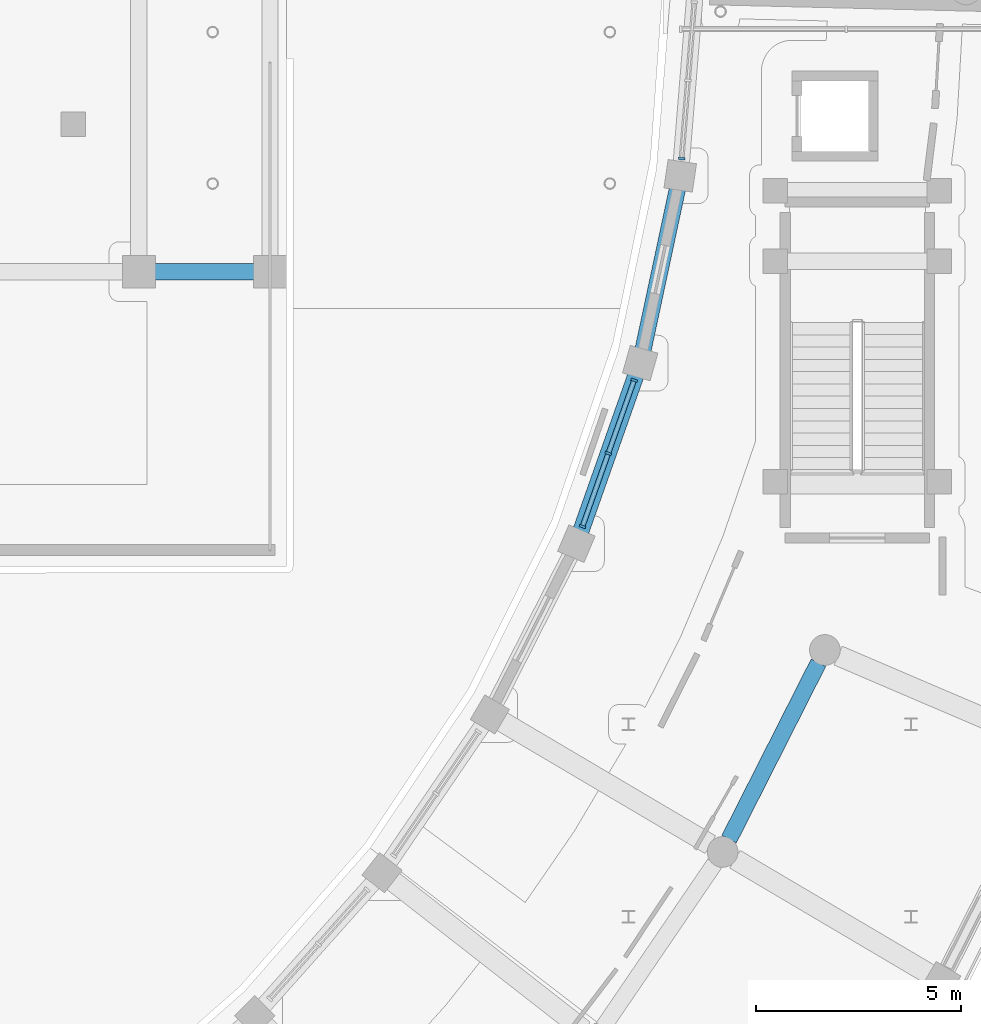
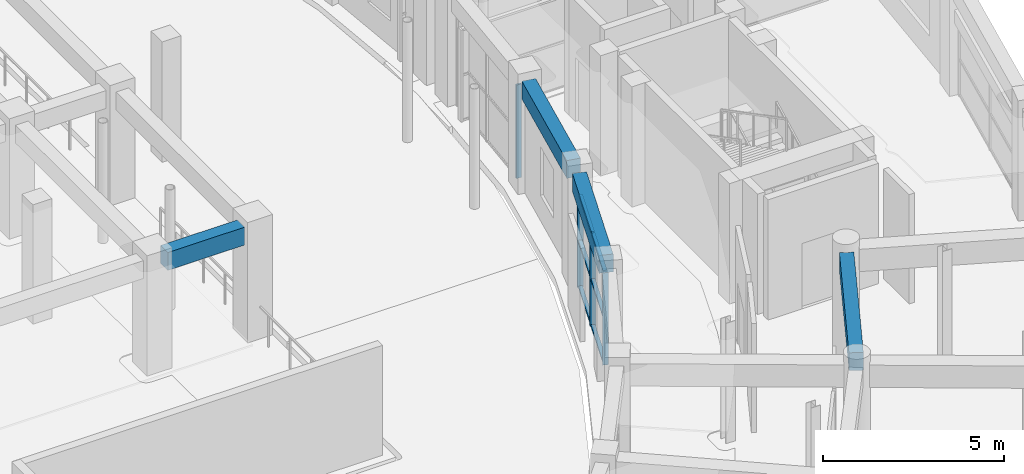
# One storey, part 34 of 87: 10 members, 4 beams, 2 elements without a shape of their own.
"""IFC4 building model written with IfcOpenShell, lengths in metres."""

from ifc_helpers import new_model, si_unit, direction, frame, origin, origin_2d, place, context, subcontext, project, spatial, rectangle, extrude, material, material_profile, profile_set, type_object, element, aggregate, save


model = new_model("IFC4")

# Units and contexts
model_context = context("Model", 3, precision=1e-05, world=origin(), true_north=direction((0.0, 1.0)))
body_context = subcontext(model_context, "Body", "Model", "MODEL_VIEW")
ifc_project = project(units=[si_unit("LENGTHUNIT", "METRE"), si_unit("AREAUNIT", "SQUARE_METRE"), si_unit("VOLUMEUNIT", "CUBIC_METRE"), si_unit("PLANEANGLEUNIT", "RADIAN"), si_unit("MASSUNIT", "GRAM", prefix="KILO")], contexts=[model_context])

# Site, building, storey
site_placement = place(None, origin())
site = spatial("IfcSite", under=ifc_project, at=site_placement, CompositionType="ELEMENT")
building_placement = place(site_placement, origin())
building = spatial("IfcBuilding", under=site, at=building_placement, Name="Saryqyr Civic Hall", CompositionType="ELEMENT")
storey_placement = place(building_placement, frame((0.0, 0.0, 5.10009765625)))
storey = spatial("IfcBuildingStorey", under=building, at=storey_placement, Name="L01", CompositionType="ELEMENT", Elevation=5.10009765625)

# Curtain wall, members
ifc_material_1 = material(Name="Anodised aluminium and triple low-E glass", Category="aluminium")
curtain_wall_type_1 = type_object("IfcCurtainWallType", Name="ENV-CW-STD-20", PredefinedType="NOTDEFINED", material=ifc_material_1)
curtain_wall_1_placement = place(storey_placement, origin())
curtain_wall_1 = element("IfcCurtainWall", 1, at=curtain_wall_1_placement, inside=storey, type_object=curtain_wall_type_1, Name="Curtain wall V5-CWI-L01-07", PredefinedType="NOTDEFINED")
ifc_material_2 = material(Name="Anodised aluminium", Category="aluminium")
ifc_material_profile_1 = material_profile(ifc_material_2, rectangle(XDim=0.06005859375, YDim=0.159912109375, at=origin_2d()), Name="ALU MULLION 60x160")
ifc_profile_set_1 = profile_set([ifc_material_profile_1], Name="Anodised aluminium")
member_type_1 = type_object("IfcMemberType", Name="ENV-CW-MUL-180", PredefinedType="MULLION", material=ifc_profile_set_1)
member_1_placement = place(storey_placement, frame((90.42919921875, 70.177978515625, 0.0), z_axis=(0.0, 0.0, 1.0), x_axis=(0.333203416298, 0.942854964121, 0.0)))
member_1 = element("IfcMember", 2, at=member_1_placement, type_object=member_type_1, Name="CW-20 mullion 1", PredefinedType="MULLION", context=body_context, shape_type="SweptSolid", body=[
    extrude(rectangle(XDim=0.06005859375, YDim=0.159912109375, at=origin_2d()), origin(), (0.0, 0.0, 1.0), 3.14501953125),
])
member_2_placement = place(storey_placement, frame((91.060302734375, 71.963623046875, 0.0), z_axis=(0.0, 0.0, 1.0), x_axis=(0.333203416298, 0.942854964121, 0.0)))
member_2 = element("IfcMember", 3, at=member_2_placement, type_object=member_type_1, Name="CW-20 mullion 2", PredefinedType="MULLION", context=body_context, shape_type="SweptSolid", body=[
    extrude(rectangle(XDim=0.06005859375, YDim=0.159912109375, at=origin_2d()), origin(), (0.0, 0.0, 1.0), 3.14501953125),
])
member_3_placement = place(storey_placement, frame((91.69140625, 73.74951171875, 0.0), z_axis=(0.0, 0.0, 1.0), x_axis=(0.333203416298, 0.942854964121, 0.0)))
member_3 = element("IfcMember", 4, at=member_3_placement, type_object=member_type_1, Name="CW-20 mullion 3", PredefinedType="MULLION", context=body_context, shape_type="SweptSolid", body=[
    extrude(rectangle(XDim=0.06005859375, YDim=0.159912109375, at=origin_2d()), origin(), (0.0, 0.0, 1.0), 3.14501953125),
])

# Curtain wall, member
curtain_wall_type_2 = type_object("IfcCurtainWallType", Name="ENV-CW-STD-17", PredefinedType="NOTDEFINED", material=ifc_material_1)
curtain_wall_2_placement = place(storey_placement, origin())
curtain_wall_2 = element("IfcCurtainWall", 5, at=curtain_wall_2_placement, inside=storey, type_object=curtain_wall_type_2, Name="Curtain wall V5-CWI-L01-09", PredefinedType="NOTDEFINED")
member_4_placement = place(storey_placement, frame((92.849853515625, 79.159912109375, 0.0), z_axis=(0.0, 0.0, 1.0), x_axis=(0.081125567196, 0.996703889, 0.0)))
member_4 = element("IfcMember", 6, at=member_4_placement, type_object=member_type_1, Name="CW-17 mullion 1", PredefinedType="MULLION", context=body_context, shape_type="SweptSolid", body=[
    extrude(rectangle(XDim=0.06005859375, YDim=0.159912109375, at=origin_2d()), origin(), (0.0, 0.0, 1.0), 3.14501953125),
])
aggregate(curtain_wall_2, [member_4])

# Member
ifc_material_profile_2 = material_profile(ifc_material_2, rectangle(XDim=0.1201171875, YDim=0.06005859375, at=origin_2d()), Name="ALU TRANSOM 120x60")
ifc_profile_set_2 = profile_set([ifc_material_profile_2], Name="Anodised aluminium")
member_type_2 = type_object("IfcMemberType", Name="ENV-CW-TRN-150", PredefinedType="USERDEFINED", material=ifc_profile_set_2)
member_5_placement = place(storey_placement, frame((90.439208984375, 70.2060546875, 0.02978515625), z_axis=(0.333189130519, 0.94286001257, 0.0), x_axis=(-0.94286001257, 0.333189130519, 0.0)))
member_5 = element("IfcMember", 7, at=member_5_placement, type_object=member_type_2, Name="CW-20 transom 1.1", ObjectType="TRANSOM", PredefinedType="USERDEFINED", context=body_context, shape_type="SweptSolid", body=[
    extrude(rectangle(XDim=0.1201171875, YDim=0.06005859375, at=origin_2d()), origin(), (0.0, 0.0, 1.0), 1.833984375),
])

member_6_placement = place(storey_placement, frame((90.439208984375, 70.2060546875, 1.572021484375), z_axis=(0.333189130519, 0.94286001257, 0.0), x_axis=(-0.94286001257, 0.333189130519, 0.0)))
member_6 = element("IfcMember", 8, at=member_6_placement, type_object=member_type_2, Name="CW-20 transom 1.2", ObjectType="TRANSOM", PredefinedType="USERDEFINED", context=body_context, shape_type="SweptSolid", body=[
    extrude(rectangle(XDim=0.1201171875, YDim=0.06005859375, at=origin_2d()), origin(), (0.0, 0.0, 1.0), 1.833984375),
])

member_7_placement = place(storey_placement, frame((90.439208984375, 70.2060546875, 3.114990234375), z_axis=(0.333189130519, 0.94286001257, 0.0), x_axis=(-0.94286001257, 0.333189130519, 0.0)))
member_7 = element("IfcMember", 9, at=member_7_placement, type_object=member_type_2, Name="CW-20 transom 1.3", ObjectType="TRANSOM", PredefinedType="USERDEFINED", context=body_context, shape_type="SweptSolid", body=[
    extrude(rectangle(XDim=0.1201171875, YDim=0.06005859375, at=origin_2d()), origin(), (0.0, 0.0, 1.0), 1.833984375),
])

member_8_placement = place(storey_placement, frame((91.0703125, 71.991943359375, 0.02978515625), z_axis=(0.333189130519, 0.94286001257, 0.0), x_axis=(-0.94286001257, 0.333189130519, 0.0)))
member_8 = element("IfcMember", 10, at=member_8_placement, type_object=member_type_2, Name="CW-20 transom 2.1", ObjectType="TRANSOM", PredefinedType="USERDEFINED", context=body_context, shape_type="SweptSolid", body=[
    extrude(rectangle(XDim=0.1201171875, YDim=0.06005859375, at=origin_2d()), origin(), (0.0, 0.0, 1.0), 1.833984375),
])

member_9_placement = place(storey_placement, frame((91.0703125, 71.991943359375, 1.572021484375), z_axis=(0.333189130519, 0.94286001257, 0.0), x_axis=(-0.94286001257, 0.333189130519, 0.0)))
member_9 = element("IfcMember", 11, at=member_9_placement, type_object=member_type_2, Name="CW-20 transom 2.2", ObjectType="TRANSOM", PredefinedType="USERDEFINED", context=body_context, shape_type="SweptSolid", body=[
    extrude(rectangle(XDim=0.1201171875, YDim=0.06005859375, at=origin_2d()), origin(), (0.0, 0.0, 1.0), 1.833984375),
])

member_10_placement = place(storey_placement, frame((91.0703125, 71.991943359375, 3.114990234375), z_axis=(0.333189130519, 0.94286001257, 0.0), x_axis=(-0.94286001257, 0.333189130519, 0.0)))
member_10 = element("IfcMember", 12, at=member_10_placement, type_object=member_type_2, Name="CW-20 transom 2.3", ObjectType="TRANSOM", PredefinedType="USERDEFINED", context=body_context, shape_type="SweptSolid", body=[
    extrude(rectangle(XDim=0.1201171875, YDim=0.06005859375, at=origin_2d()), origin(), (0.0, 0.0, 1.0), 1.833984375),
])

aggregate(curtain_wall_1, [member_1, member_2, member_3, member_5, member_6, member_7, member_8, member_9, member_10])

# Beams
ifc_material_3 = material(Name="Concrete C35/45", Category="concrete")
ifc_material_profile_3 = material_profile(ifc_material_3, rectangle(XDim=0.39990234375, YDim=0.60009765625, at=origin_2d()), Name="RC 400x600")
ifc_profile_set_3 = profile_set([ifc_material_profile_3], Name="Concrete C35/45")
beam_type_1 = type_object("IfcBeamType", Name="STR-BM-RC400x600", PredefinedType="BEAM", material=ifc_profile_set_3)
beam_1_placement = place(storey_placement, frame((79.97509765625, 76.39990234375, 3.469970703125), z_axis=(1.0, 0.0, 0.0), x_axis=(0.0, 1.0, 0.0)))
element("IfcBeam", 13, at=beam_1_placement, inside=storey, type_object=beam_type_1, Name="Beam V1-TBM-04-L01", PredefinedType="BEAM", context=body_context, shape_type="SweptSolid", body=[
    extrude(rectangle(XDim=0.39990234375, YDim=0.60009765625, at=origin_2d()), origin(), (0.0, 0.0, 1.0), 2.449951171875),
])
beam_2_placement = place(storey_placement, frame((94.009521484375, 62.54443359375, 3.469970703125), z_axis=(0.4519004071, 0.892068395395, 0.0), x_axis=(-0.892068395395, 0.4519004071, 0.0)))
element("IfcBeam", 14, at=beam_2_placement, inside=storey, type_object=beam_type_1, Name="Beam V5-CBM-MID06-L01", PredefinedType="BEAM", context=body_context, shape_type="SweptSolid", body=[
    extrude(rectangle(XDim=0.39990234375, YDim=0.60009765625, at=origin_2d()), origin(), (0.0, 0.0, 1.0), 4.82763671875),
])
ifc_material_profile_4 = material_profile(ifc_material_3, rectangle(XDim=0.39990234375, YDim=0.60009765625, at=origin_2d()), Name="RC 400x600")
ifc_profile_set_4 = profile_set([ifc_material_profile_4], Name="Concrete C35/45")
beam_type_2 = type_object("IfcBeamType", Name="STR-BM-RC400x600-EXT", PredefinedType="BEAM", material=ifc_profile_set_4)
for number, where, z_axis, x_axis, name in (
    (15, (90.3896484375, 70.06591796875, 3.469970703125), (0.333207125393, 0.942853653324, 0.0), (-0.942853653324, 0.333207125393, 0.0), "Beam V5-CBM-IN07-L01"),
    (16, (91.906982421875, 74.485595703125, 3.469970703125), (0.208882885335, 0.977940662931, 0.0), (-0.977940662931, 0.208882885335, 0.0), "Beam V5-CBM-IN08-L01"),
):
    element("IfcBeam", number, at=place(storey_placement, frame(where, z_axis=z_axis, x_axis=x_axis)), inside=storey, type_object=beam_type_2, Name=name, PredefinedType="BEAM", context=body_context, shape_type="SweptSolid", body=[
        extrude(rectangle(XDim=0.39990234375, YDim=0.60009765625, at=origin_2d()), origin(), (0.0, 0.0, 1.0), 4.025390625),
    ])

save(model, "model.ifc")
